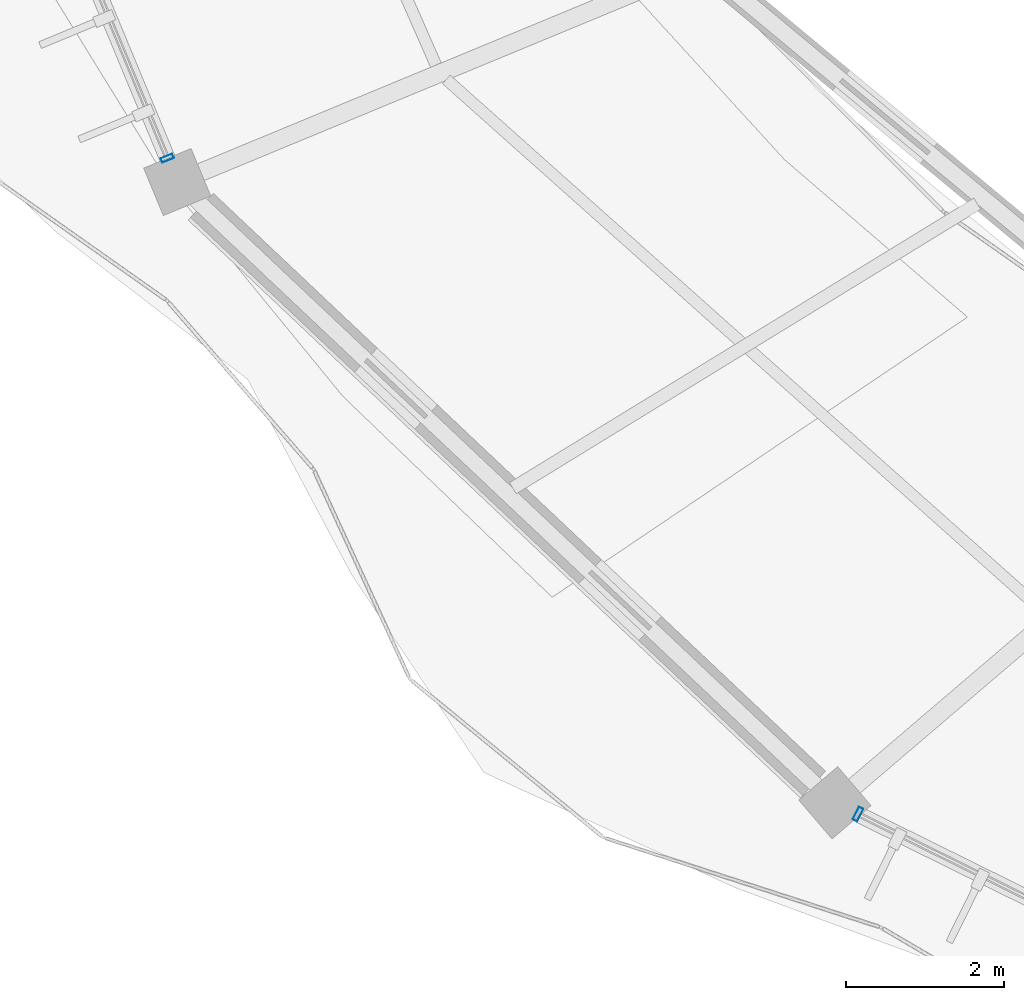
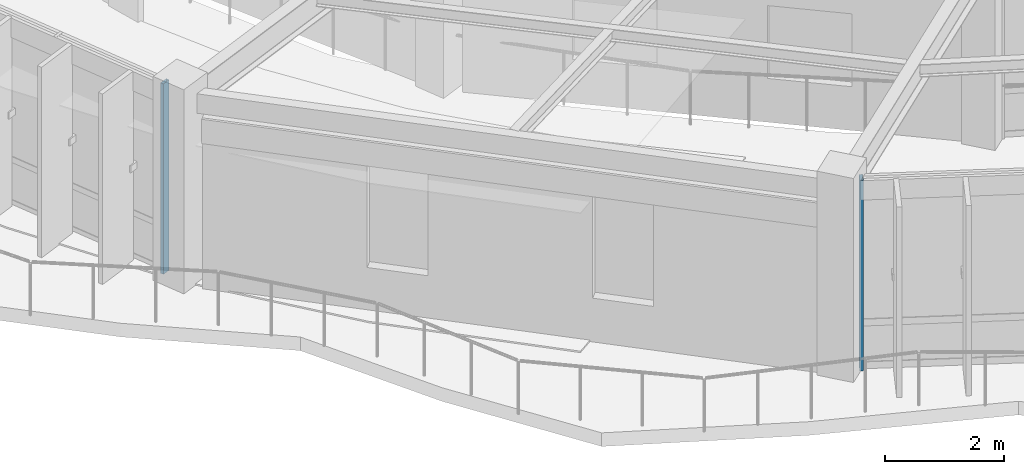
# One storey, part 29 of 114: 2 members, 2 elements without a shape of their own.
"""IFC4 building model written with IfcOpenShell, lengths in metres."""

from ifc_helpers import new_model, si_unit, direction, frame, origin, origin_2d, place, context, subcontext, project, spatial, hollow_rectangle, extrude, material, material_profile, profile_set, type_object, element, aggregate, save


model = new_model("IFC4")

# Units and contexts
model_context = context("Model", 3, precision=1e-05, world=origin(), true_north=direction((0.0, 1.0)))
body_context = subcontext(model_context, "Body", "Model", "MODEL_VIEW")
ifc_project = project(units=[si_unit("LENGTHUNIT", "METRE"), si_unit("AREAUNIT", "SQUARE_METRE"), si_unit("VOLUMEUNIT", "CUBIC_METRE"), si_unit("PLANEANGLEUNIT", "RADIAN"), si_unit("MASSUNIT", "GRAM", prefix="KILO"), si_unit("THERMODYNAMICTEMPERATUREUNIT", "KELVIN"), si_unit("POWERUNIT", "WATT")], contexts=[model_context])

# Site, building, storey
site_placement = place(None, origin())
site = spatial("IfcSite", under=ifc_project, at=site_placement, CompositionType="ELEMENT")
building_placement = place(site_placement, origin())
building = spatial("IfcBuilding", under=site, at=building_placement, Name="Darbajah Civic Hall", CompositionType="ELEMENT")
storey_placement = place(building_placement, frame((0.0, 0.0, 13.800048828125)))
storey = spatial("IfcBuildingStorey", under=building, at=storey_placement, Name="L03", CompositionType="ELEMENT", Elevation=13.800048828125)

# Curtain wall, member
ifc_material_1 = material(Name="Anodised Bronze Aluminium and Low-E Glazing", Category="aluminium")
curtain_wall_type_1 = type_object("IfcCurtainWallType", Name="Unitised Curtain Wall CW-59 9100x3900", PredefinedType="USERDEFINED", material=ifc_material_1)
curtain_wall_1_placement = place(storey_placement, origin())
curtain_wall_1 = element("IfcCurtainWall", 1, at=curtain_wall_1_placement, inside=storey, type_object=curtain_wall_type_1, Name="L03 unitised curtain wall CW-V1O-L03-10", ObjectType="UNITISED CURTAIN WALL", PredefinedType="USERDEFINED")
ifc_material_2 = material(Name="Anodised Bronze Aluminium", Category="aluminium")
ifc_material_profile_1 = material_profile(ifc_material_2, hollow_rectangle(XDim=0.06005859375, YDim=0.159912109375, WallThickness=0.00341796875, at=origin_2d()), Name="ALU MULLION 60x160")
ifc_profile_set_1 = profile_set([ifc_material_profile_1], Name="Anodised Bronze Aluminium")
member_type_1 = type_object("IfcMemberType", Name="ALU MULLION 60x160", PredefinedType="MULLION", material=ifc_profile_set_1)
member_1_placement = place(storey_placement, frame((41.856689453125, 78.812744140625, 0.0), z_axis=(0.0, 0.0, 1.0), x_axis=(0.383328328644, -0.923612143954, 0.0)))
member_1 = element("IfcMember", 2, at=member_1_placement, type_object=member_type_1, Name="CW-V1O-L03-10 mullion 5", PredefinedType="MULLION", context=body_context, shape_type="SweptSolid", body=[
    extrude(hollow_rectangle(XDim=0.06005859375, YDim=0.159912109375, WallThickness=0.00341796875, at=origin_2d()), origin(), (0.0, 0.0, 1.0), 3.919921875),
])
aggregate(curtain_wall_1, [member_1])

curtain_wall_type_2 = type_object("IfcCurtainWallType", Name="Unitised Curtain Wall CW-60 12900x3900", PredefinedType="USERDEFINED", material=ifc_material_1)
curtain_wall_2_placement = place(storey_placement, origin())
curtain_wall_2 = element("IfcCurtainWall", 3, at=curtain_wall_2_placement, inside=storey, type_object=curtain_wall_type_2, Name="L03 unitised curtain wall CW-V1O-L03-12", ObjectType="UNITISED CURTAIN WALL", PredefinedType="USERDEFINED")
ifc_material_profile_2 = material_profile(ifc_material_2, hollow_rectangle(XDim=0.06494140625, YDim=0.179931640625, WallThickness=0.00390625, at=origin_2d()), Name="ALU MULLION 65x180")
ifc_profile_set_2 = profile_set([ifc_material_profile_2], Name="Anodised Bronze Aluminium")
member_type_2 = type_object("IfcMemberType", Name="ALU MULLION 65x180", PredefinedType="MULLION", material=ifc_profile_set_2)
member_2_placement = place(storey_placement, frame((50.612548828125, 70.49658203125, 0.0), z_axis=(0.0, 0.0, 1.0), x_axis=(0.89656374724, -0.442914717678, 0.0)))
member_2 = element("IfcMember", 4, at=member_2_placement, type_object=member_type_2, Name="CW-V1O-L03-12 mullion 1", PredefinedType="MULLION", context=body_context, shape_type="SweptSolid", body=[
    extrude(hollow_rectangle(XDim=0.06494140625, YDim=0.179931640625, WallThickness=0.00390625, at=origin_2d()), origin(), (0.0, 0.0, 1.0), 3.919921875),
])
aggregate(curtain_wall_2, [member_2])

save(model, "model.ifc")
